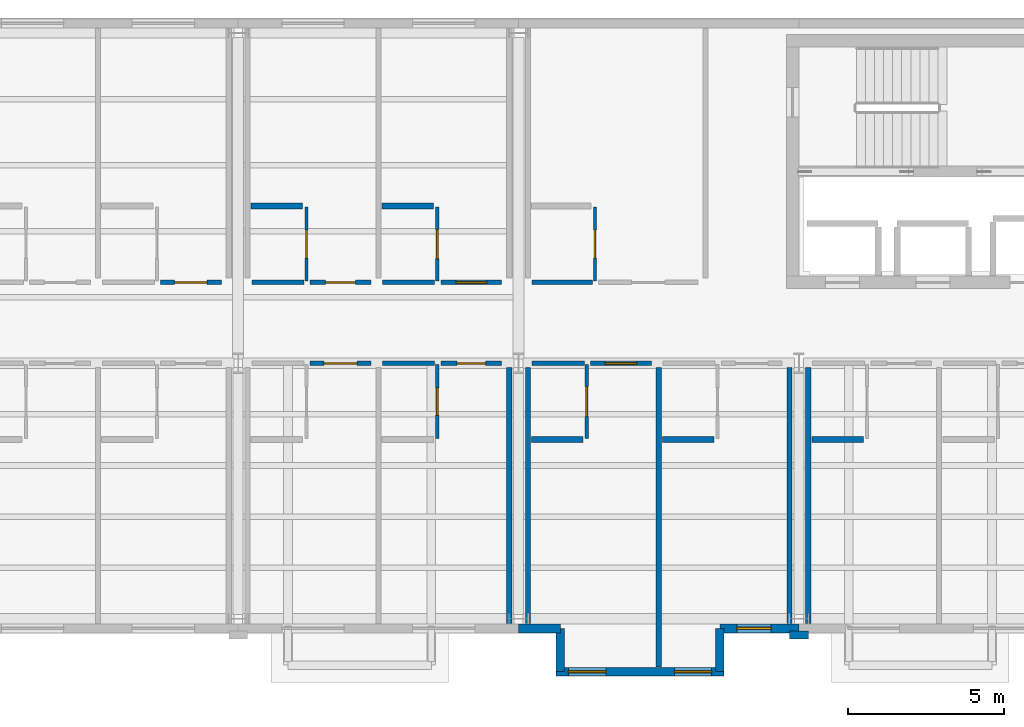
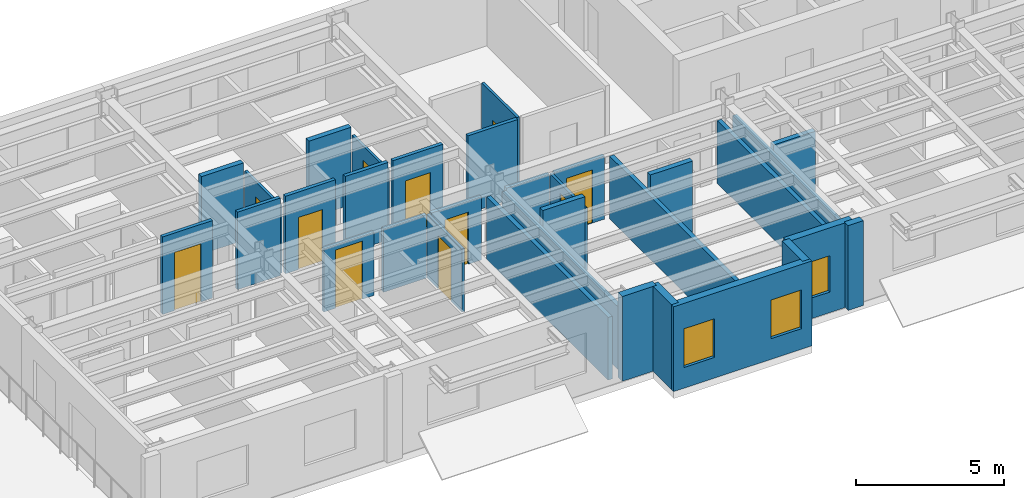
# One storey, part 10 of 23: 32 walls, 11 doors, 3 windows, 14 openings.
"""IFC4 building model written with IfcOpenShell, lengths in metres."""

from ifc_helpers import new_model, si_unit, direction, frame, frame_2d, origin, place, context, subcontext, project, spatial, rectangle, extrude, material, layer, layer_set, type_object, element, fill, save


model = new_model("IFC4")

# Units and contexts
model_context = context("Model", 3, precision=1e-05, world=origin(), true_north=direction((0.0, 1.0)))
body_context = subcontext(model_context, "Body", "Model", "MODEL_VIEW")
ifc_project = project(units=[si_unit("LENGTHUNIT", "METRE"), si_unit("AREAUNIT", "SQUARE_METRE"), si_unit("VOLUMEUNIT", "CUBIC_METRE"), si_unit("PLANEANGLEUNIT", "RADIAN"), si_unit("MASSUNIT", "GRAM", prefix="KILO")], contexts=[model_context])

# Site, building, storey
site_placement = place(None, origin())
site = spatial("IfcSite", under=ifc_project, at=site_placement, CompositionType="ELEMENT")
building_placement = place(site_placement, origin())
building = spatial("IfcBuilding", under=site, at=building_placement, Name="Sollismere Congress Hotel", CompositionType="ELEMENT")
storey_placement = place(building_placement, frame((0.0, 0.0, 30.60009765625)))
storey = spatial("IfcBuildingStorey", under=building, at=storey_placement, Name="L07", CompositionType="ELEMENT", Elevation=30.60009765625)

# Wall
ifc_material_1 = material(Name="Colorado Buff Sandstone Rainscreen on Insulated Backup", Category="masonry")
ifc_layer_1 = layer(ifc_material_1, 0.284912109375, Name="Colorado Buff Sandstone Rainscreen on Insulated Backup")
ifc_layer_set_1 = layer_set([ifc_layer_1], Name="Colorado Buff Sandstone Rainscreen on Insulated Backup")
wall_type_1 = type_object("IfcWallType", Name="WL-EXT285", PredefinedType="STANDARD", material=ifc_layer_set_1)
wall_1_placement = place(storey_placement, frame((85.0, -0.31005859375, 0.0), z_axis=(0.0, 0.0, 1.0), x_axis=(1.0, 0.0, 0.0)))
element("IfcWall", 1, at=wall_1_placement, inside=storey, type_object=wall_type_1, Name="Exterior wall EW-L07-741", PredefinedType="STANDARD", context=body_context, shape_type="SweptSolid", body=[
    extrude(rectangle(XDim=1.340087890625, YDim=0.284912109375, at=frame_2d((0.669921875, 0.0))), origin(), (0.0, 0.0, 1.0), 3.5),
])

# Wall, opening, window
wall_2_placement = place(storey_placement, frame((91.4599609375, -0.31005859375, 0.0), z_axis=(0.0, 0.0, 1.0), x_axis=(1.0, 0.0, 0.0)))
wall_2 = element("IfcWall", 2, at=wall_2_placement, inside=storey, type_object=wall_type_1, Name="Exterior wall EW-L07-742", PredefinedType="STANDARD", context=body_context, shape_type="SweptSolid", body=[
    extrude(rectangle(XDim=2.5400390625, YDim=0.284912109375, at=frame_2d((1.27001953125, 0.0))), origin(), (0.0, 0.0, 1.0), 3.5),
])
opening_1_placement = place(wall_2_placement, frame((0.544921875, 0.0, 0.85009765625)))
opening_1 = element("IfcOpeningElement", 3, at=opening_1_placement, cuts=wall_2, Name="Opening W-L07-544", PredefinedType="OPENING", context=body_context, shape_type="SweptSolid", body=[
    extrude(rectangle(XDim=1.10009765625, YDim=1.5, at=frame_2d((0.550048828125, 0.75))), frame((0.0, 0.15234375, 0.0), z_axis=(0.0, -1.0, 0.0), x_axis=(1.0, 0.0, 0.0)), (0.0, 0.0, 1.0), 0.304931640625),
])
ifc_material_2 = material(Name="Thermally Broken Bronze Aluminum & Low-E Glass", Category="aluminium")
window_type_1 = type_object("IfcWindowType", Name="WN-P110x150", PartitioningType="SINGLE_PANEL", PredefinedType="WINDOW", material=ifc_material_2)
window_1_placement = place(opening_1_placement, origin())
window_1 = element("IfcWindow", 4, at=window_1_placement, inside=storey, type_object=window_type_1, Name="WIN-W-L07-544", OverallHeight=1.5, OverallWidth=1.10009765625, PartitioningType="SINGLE_PANEL", PredefinedType="WINDOW", context=body_context, shape_type="SweptSolid", body=[
    extrude(rectangle(XDim=1.10009765625, YDim=1.5, at=frame_2d((0.550048828125, 0.75))), frame((0.0, 0.030029296875, 0.0), z_axis=(0.0, -1.0, 0.0), x_axis=(1.0, 0.0, 0.0)), (0.0, 0.0, 1.0), 0.06005859375),
])
fill(opening_1, window_1)

# Wall, openings, windows
wall_3_placement = place(storey_placement, frame((86.199951171875, -1.699951171875, 0.0), z_axis=(0.0, 0.0, 1.0), x_axis=(1.0, 0.0, 0.0)))
wall_3 = element("IfcWall", 5, at=wall_3_placement, inside=storey, type_object=wall_type_1, Name="Exterior wall EW-L07-743", PredefinedType="STANDARD", context=body_context, shape_type="SweptSolid", body=[
    extrude(rectangle(XDim=5.400146484375, YDim=0.284912109375, at=frame_2d((2.7001953125, 0.0))), origin(), (0.0, 0.0, 1.0), 3.5),
])
opening_2_placement = place(wall_3_placement, frame((0.39990234375, 0.0, 0.85009765625)))
opening_2 = element("IfcOpeningElement", 6, at=opening_2_placement, cuts=wall_3, Name="Opening W-L07-545", PredefinedType="OPENING", context=body_context, shape_type="SweptSolid", body=[
    extrude(rectangle(XDim=1.199951171875, YDim=1.60009765625, at=frame_2d((0.60009765625, 0.800048828125))), frame((0.0, 0.15234375, 0.0), z_axis=(0.0, -1.0, 0.0), x_axis=(1.0, 0.0, 0.0)), (0.0, 0.0, 1.0), 0.304931640625),
])
opening_3_placement = place(wall_3_placement, frame((3.800048828125, 0.0, 0.85009765625)))
opening_3 = element("IfcOpeningElement", 7, at=opening_3_placement, cuts=wall_3, Name="Opening W-L07-546", PredefinedType="OPENING", context=body_context, shape_type="SweptSolid", body=[
    extrude(rectangle(XDim=1.199951171875, YDim=1.60009765625, at=frame_2d((0.60009765625, 0.800048828125))), frame((0.0, 0.15234375, 0.0), z_axis=(0.0, -1.0, 0.0), x_axis=(1.0, 0.0, 0.0)), (0.0, 0.0, 1.0), 0.304931640625),
])
window_type_2 = type_object("IfcWindowType", Name="WN-P120x160", PartitioningType="SINGLE_PANEL", PredefinedType="WINDOW", material=ifc_material_2)
window_2_placement = place(opening_2_placement, origin())
window_2 = element("IfcWindow", 8, at=window_2_placement, inside=storey, type_object=window_type_2, Name="WIN-W-L07-545", OverallHeight=1.60009765625, OverallWidth=1.199951171875, PartitioningType="SINGLE_PANEL", PredefinedType="WINDOW", context=body_context, shape_type="SweptSolid", body=[
    extrude(rectangle(XDim=1.199951171875, YDim=1.60009765625, at=frame_2d((0.60009765625, 0.800048828125))), frame((0.0, 0.030029296875, 0.0), z_axis=(0.0, -1.0, 0.0), x_axis=(1.0, 0.0, 0.0)), (0.0, 0.0, 1.0), 0.06005859375),
])
fill(opening_2, window_2)
window_3_placement = place(opening_3_placement, origin())
window_3 = element("IfcWindow", 9, at=window_3_placement, inside=storey, type_object=window_type_2, Name="WIN-W-L07-546", OverallHeight=1.60009765625, OverallWidth=1.199951171875, PartitioningType="SINGLE_PANEL", PredefinedType="WINDOW", context=body_context, shape_type="SweptSolid", body=[
    extrude(rectangle(XDim=1.199951171875, YDim=1.60009765625, at=frame_2d((0.60009765625, 0.800048828125))), frame((0.0, 0.030029296875, 0.0), z_axis=(0.0, -1.0, 0.0), x_axis=(1.0, 0.0, 0.0)), (0.0, 0.0, 1.0), 0.06005859375),
])
fill(opening_3, window_3)

# Walls
for number, where, z_axis, x_axis, name in (
    (10, (86.340087890625, -0.31005859375, 0.0), (0.0, 0.0, 1.0), (0.0, -1.0, 0.0), "Exterior wall EW-L07-744"),
    (11, (91.4599609375, -1.699951171875, 0.0), (0.0, 0.0, 1.0), (0.0, 1.0, 0.0), "Exterior wall EW-L07-745"),
):
    element("IfcWall", number, at=place(storey_placement, frame(where, z_axis=z_axis, x_axis=x_axis)), inside=storey, type_object=wall_type_1, Name=name, PredefinedType="STANDARD", context=body_context, shape_type="SweptSolid", body=[
        extrude(rectangle(XDim=1.389892578125, YDim=0.284912109375, at=frame_2d((0.69482421875, 0.0))), origin(), (0.0, 0.0, 1.0), 3.5),
    ])
ifc_material_3 = material(Name="Carved Travertine Pilaster & Frieze Assembly", Category="masonry")
ifc_layer_2 = layer(ifc_material_3, 0.260009765625, Name="Carved Travertine Pilaster & Frieze Assembly")
ifc_layer_set_2 = layer_set([ifc_layer_2], Name="Carved Travertine Pilaster & Frieze Assembly")
wall_type_2 = type_object("IfcWallType", Name="WL-PIL280", PredefinedType="ELEMENTEDWALL", material=ifc_layer_set_2)
wall_4_placement = place(storey_placement, frame((93.699951171875, -0.52001953125, 0.0), z_axis=(0.0, 0.0, 1.0), x_axis=(1.0, 0.0, 0.0)))
element("IfcWall", 12, at=wall_4_placement, inside=storey, type_object=wall_type_2, Name="Exterior wall EW-L07-747", PredefinedType="ELEMENTEDWALL", context=body_context, shape_type="SweptSolid", body=[
    extrude(rectangle(XDim=0.60009765625, YDim=0.260009765625, at=frame_2d((0.300048828125, 0.0))), origin(), (0.0, 0.0, 1.0), 3.5),
])
ifc_material_4 = material(Name="Moisture-Resistant Shaft Gypsum Assembly")
ifc_layer_3 = layer(ifc_material_4, 0.199951171875, Name="Moisture-Resistant Shaft Gypsum Assembly")
ifc_layer_set_3 = layer_set([ifc_layer_3], Name="Moisture-Resistant Shaft Gypsum Assembly")
wall_type_3 = type_object("IfcWallType", Name="WL-PLM200", PredefinedType="PLUMBINGWALL", material=ifc_layer_set_3)
wall_5_placement = place(storey_placement, frame((76.419921875, 13.25, 0.0), z_axis=(0.0, 0.0, 1.0), x_axis=(1.0, 0.0, 0.0)))
element("IfcWall", 13, at=wall_5_placement, inside=storey, type_object=wall_type_3, Name="Interior wall IW-L07-2237", PredefinedType="PLUMBINGWALL", context=body_context, shape_type="SweptSolid", body=[
    extrude(rectangle(XDim=1.650146484375, YDim=0.199951171875, at=frame_2d((0.8251953125, 0.0))), origin(), (0.0, 0.0, 1.0), 3.199951171875),
])
wall_6_placement = place(storey_placement, frame((80.6201171875, 13.25, 0.0), z_axis=(0.0, 0.0, 1.0), x_axis=(1.0, 0.0, 0.0)))
element("IfcWall", 14, at=wall_6_placement, inside=storey, type_object=wall_type_3, Name="Interior wall IW-L07-2242", PredefinedType="PLUMBINGWALL", context=body_context, shape_type="SweptSolid", body=[
    extrude(rectangle(XDim=1.64990234375, YDim=0.199951171875, at=frame_2d((0.824951171875, 0.0))), origin(), (0.0, 0.0, 1.0), 3.199951171875),
])
wall_7_placement = place(storey_placement, frame((85.419921875, 5.75, 0.0), z_axis=(0.0, 0.0, 1.0), x_axis=(1.0, 0.0, 0.0)))
element("IfcWall", 15, at=wall_7_placement, inside=storey, type_object=wall_type_3, Name="Interior wall IW-L07-2248", PredefinedType="PLUMBINGWALL", context=body_context, shape_type="SweptSolid", body=[
    extrude(rectangle(XDim=1.650146484375, YDim=0.199951171875, at=frame_2d((0.8251953125, 0.0))), origin(), (0.0, 0.0, 1.0), 3.199951171875),
])
wall_8_placement = place(storey_placement, frame((89.6201171875, 5.75, 0.0), z_axis=(0.0, 0.0, 1.0), x_axis=(1.0, 0.0, 0.0)))
element("IfcWall", 16, at=wall_8_placement, inside=storey, type_object=wall_type_3, Name="Interior wall IW-L07-2253", PredefinedType="PLUMBINGWALL", context=body_context, shape_type="SweptSolid", body=[
    extrude(rectangle(XDim=1.64990234375, YDim=0.199951171875, at=frame_2d((0.824951171875, 0.0))), origin(), (0.0, 0.0, 1.0), 3.199951171875),
])
wall_9_placement = place(storey_placement, frame((94.419921875, 5.75, 0.0), z_axis=(0.0, 0.0, 1.0), x_axis=(1.0, 0.0, 0.0)))
element("IfcWall", 17, at=wall_9_placement, inside=storey, type_object=wall_type_3, Name="Interior wall IW-L07-2265", PredefinedType="PLUMBINGWALL", context=body_context, shape_type="SweptSolid", body=[
    extrude(rectangle(XDim=1.650146484375, YDim=0.199951171875, at=frame_2d((0.8251953125, 0.0))), origin(), (0.0, 0.0, 1.0), 2.7529296875),
])

# Wall, opening, door
ifc_material_5 = material(Name="Moisture-Resistant Gypsum Partition")
ifc_layer_4 = layer(ifc_material_5, 0.10009765625, Name="Moisture-Resistant Gypsum Partition")
ifc_layer_set_4 = layer_set([ifc_layer_4], Name="Moisture-Resistant Gypsum Partition")
wall_type_4 = type_object("IfcWallType", Name="WL-PRT100", PredefinedType="PARTITIONING", material=ifc_layer_set_4)
wall_10_placement = place(storey_placement, frame((82.389892578125, 5.7900390625, 0.0), z_axis=(0.0, 0.0, 1.0), x_axis=(0.0, 1.0, 0.0)))
wall_10 = element("IfcWall", 18, at=wall_10_placement, inside=storey, type_object=wall_type_4, Name="Interior wall IW-L07-2230", PredefinedType="PARTITIONING", context=body_context, shape_type="SweptSolid", body=[
    extrude(rectangle(XDim=2.369873046875, YDim=0.10009765625, at=frame_2d((1.18505859375, 0.0))), origin(), (0.0, 0.0, 1.0), 2.61279296875),
])
opening_4_placement = place(wall_10_placement, frame((0.7451171875, 0.0, 0.0)))
opening_4 = element("IfcOpeningElement", 19, at=opening_4_placement, cuts=wall_10, Name="Opening D-L07-0787", PredefinedType="OPENING", context=body_context, shape_type="SweptSolid", body=[
    extrude(rectangle(XDim=0.8798828125, YDim=2.179931640625, at=frame_2d((0.43994140625, 1.08984375))), frame((0.0, 0.06005859375, 0.0), z_axis=(0.0, -1.0, 0.0), x_axis=(1.0, 0.0, 0.0)), (0.0, 0.0, 1.0), 0.1201171875),
])
ifc_material_6 = material(Name="Moisture-Sealed Timber Bathroom Door", Category="wood")
door_type_1 = type_object("IfcDoorType", Name="DR-BT05", OperationType="NOTDEFINED", PredefinedType="DOOR", material=ifc_material_6)
door_1_placement = place(opening_4_placement, origin())
door_1 = element("IfcDoor", 20, at=door_1_placement, inside=storey, type_object=door_type_1, Name="En-suite bathroom door D-L07-0787", OperationType="SINGLE_SWING_RIGHT", OverallHeight=2.179931640625, OverallWidth=0.8798828125, PredefinedType="DOOR", context=body_context, shape_type="SweptSolid", body=[
    extrude(rectangle(XDim=0.8798828125, YDim=2.179931640625, at=frame_2d((0.43994140625, 1.08984375))), frame((0.0, 0.02490234375, 0.0), z_axis=(0.0, -1.0, 0.0), x_axis=(1.0, 0.0, 0.0)), (0.0, 0.0, 1.0), 0.050048828125),
])
fill(opening_4, door_1)

wall_11_placement = place(storey_placement, frame((78.18994140625, 10.840087890625, 0.0), z_axis=(0.0, 0.0, 1.0), x_axis=(0.0, 1.0, 0.0)))
wall_11 = element("IfcWall", 21, at=wall_11_placement, inside=storey, type_object=wall_type_4, Name="Interior wall IW-L07-2236", PredefinedType="PARTITIONING", context=body_context, shape_type="SweptSolid", body=[
    extrude(rectangle(XDim=2.369873046875, YDim=0.10009765625, at=frame_2d((1.18505859375, 0.0))), origin(), (0.0, 0.0, 1.0), 2.807861328125),
])
opening_5_placement = place(wall_11_placement, frame((0.73291015625, 0.0, 0.0)))
opening_5 = element("IfcOpeningElement", 22, at=opening_5_placement, cuts=wall_11, Name="Opening D-L07-0789", PredefinedType="OPENING", context=body_context, shape_type="SweptSolid", body=[
    extrude(rectangle(XDim=0.905029296875, YDim=2.179931640625, at=frame_2d((0.45263671875, 1.08984375))), frame((0.0, 0.06005859375, 0.0), z_axis=(0.0, -1.0, 0.0), x_axis=(1.0, 0.0, 0.0)), (0.0, 0.0, 1.0), 0.1201171875),
])
door_type_2 = type_object("IfcDoorType", Name="DR-BT06", OperationType="NOTDEFINED", PredefinedType="DOOR", material=ifc_material_6)
door_2_placement = place(opening_5_placement, origin())
door_2 = element("IfcDoor", 23, at=door_2_placement, inside=storey, type_object=door_type_2, Name="En-suite bathroom door D-L07-0789", OperationType="SINGLE_SWING_RIGHT", OverallHeight=2.179931640625, OverallWidth=0.905029296875, PredefinedType="DOOR", context=body_context, shape_type="SweptSolid", body=[
    extrude(rectangle(XDim=0.905029296875, YDim=2.179931640625, at=frame_2d((0.45263671875, 1.08984375))), frame((0.0, 0.02490234375, 0.0), z_axis=(0.0, -1.0, 0.0), x_axis=(1.0, 0.0, 0.0)), (0.0, 0.0, 1.0), 0.050048828125),
])
fill(opening_5, door_2)

wall_12_placement = place(storey_placement, frame((82.389892578125, 10.840087890625, 0.0), z_axis=(0.0, 0.0, 1.0), x_axis=(0.0, 1.0, 0.0)))
wall_12 = element("IfcWall", 24, at=wall_12_placement, inside=storey, type_object=wall_type_4, Name="Interior wall IW-L07-2241", PredefinedType="PARTITIONING", context=body_context, shape_type="SweptSolid", body=[
    extrude(rectangle(XDim=2.369873046875, YDim=0.10009765625, at=frame_2d((1.18505859375, 0.0))), origin(), (0.0, 0.0, 1.0), 2.807861328125),
])
opening_6_placement = place(wall_12_placement, frame((0.719970703125, 0.0, 0.0)))
opening_6 = element("IfcOpeningElement", 25, at=opening_6_placement, cuts=wall_12, Name="Opening D-L07-0791", PredefinedType="OPENING", context=body_context, shape_type="SweptSolid", body=[
    extrude(rectangle(XDim=0.929931640625, YDim=2.219970703125, at=frame_2d((0.46484375, 1.10986328125))), frame((0.0, 0.06005859375, 0.0), z_axis=(0.0, -1.0, 0.0), x_axis=(1.0, 0.0, 0.0)), (0.0, 0.0, 1.0), 0.1201171875),
])
door_type_3 = type_object("IfcDoorType", Name="DR-BT07", OperationType="NOTDEFINED", PredefinedType="DOOR", material=ifc_material_6)
door_3_placement = place(opening_6_placement, origin())
door_3 = element("IfcDoor", 26, at=door_3_placement, inside=storey, type_object=door_type_3, Name="En-suite bathroom door D-L07-0791", OperationType="SINGLE_SWING_RIGHT", OverallHeight=2.219970703125, OverallWidth=0.929931640625, PredefinedType="DOOR", context=body_context, shape_type="SweptSolid", body=[
    extrude(rectangle(XDim=0.929931640625, YDim=2.219970703125, at=frame_2d((0.46484375, 1.10986328125))), frame((0.0, 0.02490234375, 0.0), z_axis=(0.0, -1.0, 0.0), x_axis=(1.0, 0.0, 0.0)), (0.0, 0.0, 1.0), 0.050048828125),
])
fill(opening_6, door_3)

wall_13_placement = place(storey_placement, frame((87.18994140625, 5.7900390625, 0.0), z_axis=(0.0, 0.0, 1.0), x_axis=(0.0, 1.0, 0.0)))
wall_13 = element("IfcWall", 27, at=wall_13_placement, inside=storey, type_object=wall_type_4, Name="Interior wall IW-L07-2247", PredefinedType="PARTITIONING", context=body_context, shape_type="SweptSolid", body=[
    extrude(rectangle(XDim=2.369873046875, YDim=0.10009765625, at=frame_2d((1.18505859375, 0.0))), origin(), (0.0, 0.0, 1.0), 2.61279296875),
])
opening_7_placement = place(wall_13_placement, frame((0.7080078125, 0.0, 0.0)))
opening_7 = element("IfcOpeningElement", 28, at=opening_7_placement, cuts=wall_13, Name="Opening D-L07-0793", PredefinedType="OPENING", context=body_context, shape_type="SweptSolid", body=[
    extrude(rectangle(XDim=0.955078125, YDim=2.219970703125, at=frame_2d((0.4775390625, 1.10986328125))), frame((0.0, 0.06005859375, 0.0), z_axis=(0.0, -1.0, 0.0), x_axis=(1.0, 0.0, 0.0)), (0.0, 0.0, 1.0), 0.1201171875),
])
door_type_4 = type_object("IfcDoorType", Name="DR-BT08", OperationType="NOTDEFINED", PredefinedType="DOOR", material=ifc_material_6)
door_4_placement = place(opening_7_placement, origin())
door_4 = element("IfcDoor", 29, at=door_4_placement, inside=storey, type_object=door_type_4, Name="En-suite bathroom door D-L07-0793", OperationType="SINGLE_SWING_RIGHT", OverallHeight=2.219970703125, OverallWidth=0.955078125, PredefinedType="DOOR", context=body_context, shape_type="SweptSolid", body=[
    extrude(rectangle(XDim=0.955078125, YDim=2.219970703125, at=frame_2d((0.4775390625, 1.10986328125))), frame((0.0, 0.02490234375, 0.0), z_axis=(0.0, -1.0, 0.0), x_axis=(1.0, 0.0, 0.0)), (0.0, 0.0, 1.0), 0.050048828125),
])
fill(opening_7, door_4)

wall_14_placement = place(storey_placement, frame((87.449951171875, 10.840087890625, 0.0), z_axis=(0.0, 0.0, 1.0), x_axis=(0.0, 1.0, 0.0)))
wall_14 = element("IfcWall", 30, at=wall_14_placement, inside=storey, type_object=wall_type_4, Name="Interior wall IW-L07-2258", PredefinedType="PARTITIONING", context=body_context, shape_type="SweptSolid", body=[
    extrude(rectangle(XDim=2.369873046875, YDim=0.10009765625, at=frame_2d((1.18505859375, 0.0))), origin(), (0.0, 0.0, 1.0), 3.199951171875),
])
opening_8_placement = place(wall_14_placement, frame((0.73291015625, 0.0, 0.0)))
opening_8 = element("IfcOpeningElement", 31, at=opening_8_placement, cuts=wall_14, Name="Opening D-L07-0797", PredefinedType="OPENING", context=body_context, shape_type="SweptSolid", body=[
    extrude(rectangle(XDim=0.905029296875, YDim=2.10009765625, at=frame_2d((0.45263671875, 1.050048828125))), frame((0.0, 0.06005859375, 0.0), z_axis=(0.0, -1.0, 0.0), x_axis=(1.0, 0.0, 0.0)), (0.0, 0.0, 1.0), 0.1201171875),
])
door_type_5 = type_object("IfcDoorType", Name="DR-BT02", OperationType="NOTDEFINED", PredefinedType="DOOR", material=ifc_material_6)
door_5_placement = place(opening_8_placement, origin())
door_5 = element("IfcDoor", 32, at=door_5_placement, inside=storey, type_object=door_type_5, Name="En-suite bathroom door D-L07-0797", OperationType="SINGLE_SWING_RIGHT", OverallHeight=2.10009765625, OverallWidth=0.905029296875, PredefinedType="DOOR", context=body_context, shape_type="SweptSolid", body=[
    extrude(rectangle(XDim=0.905029296875, YDim=2.10009765625, at=frame_2d((0.45263671875, 1.050048828125))), frame((0.0, 0.02490234375, 0.0), z_axis=(0.0, -1.0, 0.0), x_axis=(1.0, 0.0, 0.0)), (0.0, 0.0, 1.0), 0.050048828125),
])
fill(opening_8, door_5)

ifc_material_7 = material(Name="Fire-Rated Gypsum Partition")
ifc_layer_5 = layer(ifc_material_7, 0.139892578125, Name="Fire-Rated Gypsum Partition")
ifc_layer_set_5 = layer_set([ifc_layer_5], Name="Fire-Rated Gypsum Partition")
wall_type_5 = type_object("IfcWallType", Name="WL-PRT140R", PredefinedType="PARTITIONING", material=ifc_layer_set_5)
wall_15_placement = place(storey_placement, frame((73.510009765625, 10.800048828125, 0.0), z_axis=(0.0, 0.0, 1.0), x_axis=(1.0, 0.0, 0.0)))
wall_15 = element("IfcWall", 33, at=wall_15_placement, inside=storey, type_object=wall_type_5, Name="Interior wall IW-L07-2217", PredefinedType="PARTITIONING", context=body_context, shape_type="SweptSolid", body=[
    extrude(rectangle(XDim=1.949951171875, YDim=0.139892578125, at=frame_2d((0.97509765625, 0.0))), origin(), (0.0, 0.0, 1.0), 3.199951171875),
])
opening_9_placement = place(wall_15_placement, frame((0.455078125, 0.0, 0.0)))
opening_9 = element("IfcOpeningElement", 34, at=opening_9_placement, cuts=wall_15, Name="Opening D-L07-0782", PredefinedType="OPENING", context=body_context, shape_type="SweptSolid", body=[
    extrude(rectangle(XDim=1.0400390625, YDim=2.39990234375, at=frame_2d((0.52001953125, 1.199951171875))), frame((0.0, 0.079833984375, 0.0), z_axis=(0.0, -1.0, 0.0), x_axis=(1.0, 0.0, 0.0)), (0.0, 0.0, 1.0), 0.159912109375),
])
ifc_material_8 = material(Name="Solid-Core Acoustic Walnut Guestroom Entry Door")
door_type_6 = type_object("IfcDoorType", Name="DR-KY11", OperationType="NOTDEFINED", PredefinedType="DOOR", material=ifc_material_8)
door_6_placement = place(opening_9_placement, origin())
door_6 = element("IfcDoor", 35, at=door_6_placement, inside=storey, type_object=door_type_6, Name="Hotel room entry door D-L07-0782", OperationType="SINGLE_SWING_LEFT", OverallHeight=2.39990234375, OverallWidth=1.0400390625, PredefinedType="DOOR", context=body_context, shape_type="SweptSolid", body=[
    extrude(rectangle(XDim=1.0400390625, YDim=2.39990234375, at=frame_2d((0.52001953125, 1.199951171875))), frame((0.0, 0.02490234375, 0.0), z_axis=(0.0, -1.0, 0.0), x_axis=(1.0, 0.0, 0.0)), (0.0, 0.0, 1.0), 0.050048828125),
])
fill(opening_9, door_6)

wall_16_placement = place(storey_placement, frame((78.31005859375, 8.199951171875, 0.0), z_axis=(0.0, 0.0, 1.0), x_axis=(1.0, 0.0, 0.0)))
wall_16 = element("IfcWall", 36, at=wall_16_placement, inside=storey, type_object=wall_type_5, Name="Interior wall IW-L07-2222", PredefinedType="PARTITIONING", context=body_context, shape_type="SweptSolid", body=[
    extrude(rectangle(XDim=1.949951171875, YDim=0.139892578125, at=frame_2d((0.97509765625, 0.0))), origin(), (0.0, 0.0, 1.0), 2.61279296875),
])
opening_10_placement = place(wall_16_placement, frame((0.43994140625, 0.0, 0.0)))
opening_10 = element("IfcOpeningElement", 37, at=opening_10_placement, cuts=wall_16, Name="Opening D-L07-0784", PredefinedType="OPENING", context=body_context, shape_type="SweptSolid", body=[
    extrude(rectangle(XDim=1.070068359375, YDim=2.39990234375, at=frame_2d((0.53515625, 1.199951171875))), frame((0.0, 0.079833984375, 0.0), z_axis=(0.0, -1.0, 0.0), x_axis=(1.0, 0.0, 0.0)), (0.0, 0.0, 1.0), 0.159912109375),
])
door_type_7 = type_object("IfcDoorType", Name="DR-KY12", OperationType="NOTDEFINED", PredefinedType="DOOR", material=ifc_material_8)
door_7_placement = place(opening_10_placement, origin())
door_7 = element("IfcDoor", 38, at=door_7_placement, inside=storey, type_object=door_type_7, Name="Hotel room entry door D-L07-0784", OperationType="SINGLE_SWING_LEFT", OverallHeight=2.39990234375, OverallWidth=1.070068359375, PredefinedType="DOOR", context=body_context, shape_type="SweptSolid", body=[
    extrude(rectangle(XDim=1.070068359375, YDim=2.39990234375, at=frame_2d((0.53515625, 1.199951171875))), frame((0.0, 0.02490234375, 0.0), z_axis=(0.0, -1.0, 0.0), x_axis=(1.0, 0.0, 0.0)), (0.0, 0.0, 1.0), 0.050048828125),
])
fill(opening_10, door_7)

# Wall
wall_17_placement = place(storey_placement, frame((80.639892578125, 8.199951171875, 0.0), z_axis=(0.0, 0.0, 1.0), x_axis=(1.0, 0.0, 0.0)))
element("IfcWall", 39, at=wall_17_placement, inside=storey, type_object=wall_type_5, Name="Interior wall IW-L07-2227", PredefinedType="PARTITIONING", context=body_context, shape_type="SweptSolid", body=[
    extrude(rectangle(XDim=1.670166015625, YDim=0.139892578125, at=frame_2d((0.8349609375, 0.0))), origin(), (0.0, 0.0, 1.0), 2.61279296875),
])

# Wall, opening, door
wall_18_placement = place(storey_placement, frame((82.510009765625, 8.199951171875, 0.0), z_axis=(0.0, 0.0, 1.0), x_axis=(1.0, 0.0, 0.0)))
wall_18 = element("IfcWall", 40, at=wall_18_placement, inside=storey, type_object=wall_type_5, Name="Interior wall IW-L07-2228", PredefinedType="PARTITIONING", context=body_context, shape_type="SweptSolid", body=[
    extrude(rectangle(XDim=1.949951171875, YDim=0.139892578125, at=frame_2d((0.97509765625, 0.0))), origin(), (0.0, 0.0, 1.0), 2.61279296875),
])
opening_11_placement = place(wall_18_placement, frame((0.514892578125, 0.0, 0.0)))
opening_11 = element("IfcOpeningElement", 41, at=opening_11_placement, cuts=wall_18, Name="Opening D-L07-0786", PredefinedType="OPENING", context=body_context, shape_type="SweptSolid", body=[
    extrude(rectangle(XDim=0.919921875, YDim=2.14990234375, at=frame_2d((0.4599609375, 1.074951171875))), frame((0.0, 0.079833984375, 0.0), z_axis=(0.0, -1.0, 0.0), x_axis=(1.0, 0.0, 0.0)), (0.0, 0.0, 1.0), 0.159912109375),
])
door_type_8 = type_object("IfcDoorType", Name="DR-KY01", OperationType="NOTDEFINED", PredefinedType="DOOR", material=ifc_material_8)
door_8_placement = place(opening_11_placement, origin())
door_8 = element("IfcDoor", 42, at=door_8_placement, inside=storey, type_object=door_type_8, Name="Hotel room entry door D-L07-0786", OperationType="SINGLE_SWING_LEFT", OverallHeight=2.14990234375, OverallWidth=0.919921875, PredefinedType="DOOR", context=body_context, shape_type="SweptSolid", body=[
    extrude(rectangle(XDim=0.919921875, YDim=2.14990234375, at=frame_2d((0.4599609375, 1.074951171875))), frame((0.0, 0.02490234375, 0.0), z_axis=(0.0, -1.0, 0.0), x_axis=(1.0, 0.0, 0.0)), (0.0, 0.0, 1.0), 0.050048828125),
])
fill(opening_11, door_8)

# Wall
wall_19_placement = place(storey_placement, frame((76.43994140625, 10.800048828125, 0.0), z_axis=(0.0, 0.0, 1.0), x_axis=(1.0, 0.0, 0.0)))
element("IfcWall", 43, at=wall_19_placement, inside=storey, type_object=wall_type_5, Name="Interior wall IW-L07-2232", PredefinedType="PARTITIONING", context=body_context, shape_type="SweptSolid", body=[
    extrude(rectangle(XDim=1.670166015625, YDim=0.139892578125, at=frame_2d((0.8349609375, 0.0))), origin(), (0.0, 0.0, 1.0), 3.199951171875),
])

# Wall, opening, door
wall_20_placement = place(storey_placement, frame((78.31005859375, 10.800048828125, 0.0), z_axis=(0.0, 0.0, 1.0), x_axis=(1.0, 0.0, 0.0)))
wall_20 = element("IfcWall", 44, at=wall_20_placement, inside=storey, type_object=wall_type_5, Name="Interior wall IW-L07-2233", PredefinedType="PARTITIONING", context=body_context, shape_type="SweptSolid", body=[
    extrude(rectangle(XDim=1.949951171875, YDim=0.139892578125, at=frame_2d((0.97509765625, 0.0))), origin(), (0.0, 0.0, 1.0), 3.199951171875),
])
opening_12_placement = place(wall_20_placement, frame((0.5, 0.0, 0.0)))
opening_12 = element("IfcOpeningElement", 45, at=opening_12_placement, cuts=wall_20, Name="Opening D-L07-0788", PredefinedType="OPENING", context=body_context, shape_type="SweptSolid", body=[
    extrude(rectangle(XDim=0.949951171875, YDim=2.14990234375, at=frame_2d((0.47509765625, 1.074951171875))), frame((0.0, 0.079833984375, 0.0), z_axis=(0.0, -1.0, 0.0), x_axis=(1.0, 0.0, 0.0)), (0.0, 0.0, 1.0), 0.159912109375),
])
door_type_9 = type_object("IfcDoorType", Name="DR-KY02", OperationType="NOTDEFINED", PredefinedType="DOOR", material=ifc_material_8)
door_9_placement = place(opening_12_placement, origin())
door_9 = element("IfcDoor", 46, at=door_9_placement, inside=storey, type_object=door_type_9, Name="Hotel room entry door D-L07-0788", OperationType="SINGLE_SWING_LEFT", OverallHeight=2.14990234375, OverallWidth=0.949951171875, PredefinedType="DOOR", context=body_context, shape_type="SweptSolid", body=[
    extrude(rectangle(XDim=0.949951171875, YDim=2.14990234375, at=frame_2d((0.47509765625, 1.074951171875))), frame((0.0, 0.02490234375, 0.0), z_axis=(0.0, -1.0, 0.0), x_axis=(1.0, 0.0, 0.0)), (0.0, 0.0, 1.0), 0.050048828125),
])
fill(opening_12, door_9)

# Wall
wall_21_placement = place(storey_placement, frame((80.639892578125, 10.800048828125, 0.0), z_axis=(0.0, 0.0, 1.0), x_axis=(1.0, 0.0, 0.0)))
element("IfcWall", 47, at=wall_21_placement, inside=storey, type_object=wall_type_5, Name="Interior wall IW-L07-2238", PredefinedType="PARTITIONING", context=body_context, shape_type="SweptSolid", body=[
    extrude(rectangle(XDim=1.670166015625, YDim=0.139892578125, at=frame_2d((0.8349609375, 0.0))), origin(), (0.0, 0.0, 1.0), 3.199951171875),
])

# Wall, opening, door
wall_22_placement = place(storey_placement, frame((82.510009765625, 10.800048828125, 0.0), z_axis=(0.0, 0.0, 1.0), x_axis=(1.0, 0.0, 0.0)))
wall_22 = element("IfcWall", 48, at=wall_22_placement, inside=storey, type_object=wall_type_5, Name="Interior wall IW-L07-2239", PredefinedType="PARTITIONING", context=body_context, shape_type="SweptSolid", body=[
    extrude(rectangle(XDim=1.949951171875, YDim=0.139892578125, at=frame_2d((0.97509765625, 0.0))), origin(), (0.0, 0.0, 1.0), 3.199951171875),
])
opening_13_placement = place(wall_22_placement, frame((0.485107421875, 0.0, 0.0)))
opening_13 = element("IfcOpeningElement", 49, at=opening_13_placement, cuts=wall_22, Name="Opening D-L07-0790", PredefinedType="OPENING", context=body_context, shape_type="SweptSolid", body=[
    extrude(rectangle(XDim=0.97998046875, YDim=2.199951171875, at=frame_2d((0.489990234375, 1.10009765625))), frame((0.0, 0.079833984375, 0.0), z_axis=(0.0, -1.0, 0.0), x_axis=(1.0, 0.0, 0.0)), (0.0, 0.0, 1.0), 0.159912109375),
])
door_type_10 = type_object("IfcDoorType", Name="DR-KY03", OperationType="NOTDEFINED", PredefinedType="DOOR", material=ifc_material_8)
door_10_placement = place(opening_13_placement, origin())
door_10 = element("IfcDoor", 50, at=door_10_placement, inside=storey, type_object=door_type_10, Name="Hotel room entry door D-L07-0790", OperationType="SINGLE_SWING_LEFT", OverallHeight=2.199951171875, OverallWidth=0.97998046875, PredefinedType="DOOR", context=body_context, shape_type="SweptSolid", body=[
    extrude(rectangle(XDim=0.97998046875, YDim=2.199951171875, at=frame_2d((0.489990234375, 1.10009765625))), frame((0.0, 0.02490234375, 0.0), z_axis=(0.0, -1.0, 0.0), x_axis=(1.0, 0.0, 0.0)), (0.0, 0.0, 1.0), 0.050048828125),
])
fill(opening_13, door_10)

# Wall
wall_23_placement = place(storey_placement, frame((85.43994140625, 8.199951171875, 0.0), z_axis=(0.0, 0.0, 1.0), x_axis=(1.0, 0.0, 0.0)))
element("IfcWall", 51, at=wall_23_placement, inside=storey, type_object=wall_type_5, Name="Interior wall IW-L07-2243", PredefinedType="PARTITIONING", context=body_context, shape_type="SweptSolid", body=[
    extrude(rectangle(XDim=1.670166015625, YDim=0.139892578125, at=frame_2d((0.8349609375, 0.0))), origin(), (0.0, 0.0, 1.0), 2.61279296875),
])

# Wall, opening, door
wall_24_placement = place(storey_placement, frame((87.31005859375, 8.199951171875, 0.0), z_axis=(0.0, 0.0, 1.0), x_axis=(1.0, 0.0, 0.0)))
wall_24 = element("IfcWall", 52, at=wall_24_placement, inside=storey, type_object=wall_type_5, Name="Interior wall IW-L07-2244", PredefinedType="PARTITIONING", context=body_context, shape_type="SweptSolid", body=[
    extrude(rectangle(XDim=1.949951171875, YDim=0.139892578125, at=frame_2d((0.97509765625, 0.0))), origin(), (0.0, 0.0, 1.0), 2.61279296875),
])
opening_14_placement = place(wall_24_placement, frame((0.469970703125, 0.0, 0.0)))
opening_14 = element("IfcOpeningElement", 53, at=opening_14_placement, cuts=wall_24, Name="Opening D-L07-0792", PredefinedType="OPENING", context=body_context, shape_type="SweptSolid", body=[
    extrude(rectangle(XDim=1.010009765625, YDim=2.199951171875, at=frame_2d((0.5048828125, 1.10009765625))), frame((0.0, 0.079833984375, 0.0), z_axis=(0.0, -1.0, 0.0), x_axis=(1.0, 0.0, 0.0)), (0.0, 0.0, 1.0), 0.159912109375),
])
door_type_11 = type_object("IfcDoorType", Name="DR-KY04", OperationType="NOTDEFINED", PredefinedType="DOOR", material=ifc_material_8)
door_11_placement = place(opening_14_placement, origin())
door_11 = element("IfcDoor", 54, at=door_11_placement, inside=storey, type_object=door_type_11, Name="Hotel room entry door D-L07-0792", OperationType="SINGLE_SWING_LEFT", OverallHeight=2.199951171875, OverallWidth=1.010009765625, PredefinedType="DOOR", context=body_context, shape_type="SweptSolid", body=[
    extrude(rectangle(XDim=1.010009765625, YDim=2.199951171875, at=frame_2d((0.5048828125, 1.10009765625))), frame((0.0, 0.02490234375, 0.0), z_axis=(0.0, -1.0, 0.0), x_axis=(1.0, 0.0, 0.0)), (0.0, 0.0, 1.0), 0.050048828125),
])
fill(opening_14, door_11)

# Walls
wall_25_placement = place(storey_placement, frame((85.43994140625, 10.800048828125, 0.0), z_axis=(0.0, 0.0, 1.0), x_axis=(1.0, 0.0, 0.0)))
element("IfcWall", 55, at=wall_25_placement, inside=storey, type_object=wall_type_5, Name="Interior wall IW-L07-2254", PredefinedType="PARTITIONING", context=body_context, shape_type="SweptSolid", body=[
    extrude(rectangle(XDim=1.93017578125, YDim=0.139892578125, at=frame_2d((0.965087890625, 0.0))), origin(), (0.0, 0.0, 1.0), 3.199951171875),
])
ifc_material_9 = material(Name="Fire-Rated Acoustic Gypsum Partition")
ifc_layer_6 = layer(ifc_material_9, 0.1650390625, Name="Fire-Rated Acoustic Gypsum Partition")
ifc_layer_set_6 = layer_set([ifc_layer_6], Name="Fire-Rated Acoustic Gypsum Partition")
wall_type_6 = type_object("IfcWallType", Name="WL-PRT165R", PredefinedType="PARTITIONING", material=ifc_layer_set_6)
for number, where, z_axis, x_axis, name in (
    (56, (84.699951171875, -0.152587890625, 0.0), (0.0, 0.0, 1.0), (0.0, 1.0, 0.0), "Interior wall IW-L07-2229"),
    (57, (85.300048828125, -0.152587890625, 0.0), (0.0, 0.0, 1.0), (0.0, 1.0, 0.0), "Interior wall IW-L07-2245"),
):
    element("IfcWall", number, at=place(storey_placement, frame(where, z_axis=z_axis, x_axis=x_axis)), inside=storey, type_object=wall_type_6, Name=name, PredefinedType="PARTITIONING", context=body_context, shape_type="SweptSolid", body=[
        extrude(rectangle(XDim=8.212646484375, YDim=0.1650390625, at=frame_2d((4.1064453125, 0.0))), origin(), (0.0, 0.0, 1.0), 2.58984375),
    ])
wall_26_placement = place(storey_placement, frame((89.5, -1.54248046875, 0.0), z_axis=(0.0, 0.0, 1.0), x_axis=(0.0, 1.0, 0.0)))
element("IfcWall", 58, at=wall_26_placement, inside=storey, type_object=wall_type_6, Name="Interior wall IW-L07-2246", PredefinedType="PARTITIONING", context=body_context, shape_type="SweptSolid", body=[
    extrude(rectangle(XDim=9.6025390625, YDim=0.1650390625, at=frame_2d((4.80126953125, 0.0))), origin(), (0.0, 0.0, 1.0), 2.58984375),
])
for number, where, z_axis, x_axis, name in (
    (59, (93.699951171875, -0.152587890625, 0.0), (0.0, 0.0, 1.0), (0.0, 1.0, 0.0), "Interior wall IW-L07-2251"),
    (60, (94.300048828125, -0.152587890625, 0.0), (0.0, 0.0, 1.0), (0.0, 1.0, 0.0), "Interior wall IW-L07-2262"),
):
    element("IfcWall", number, at=place(storey_placement, frame(where, z_axis=z_axis, x_axis=x_axis)), inside=storey, type_object=wall_type_6, Name=name, PredefinedType="PARTITIONING", context=body_context, shape_type="SweptSolid", body=[
        extrude(rectangle(XDim=8.212646484375, YDim=0.1650390625, at=frame_2d((4.1064453125, 0.0))), origin(), (0.0, 0.0, 1.0), 2.58984375),
    ])

save(model, "model.ifc")
